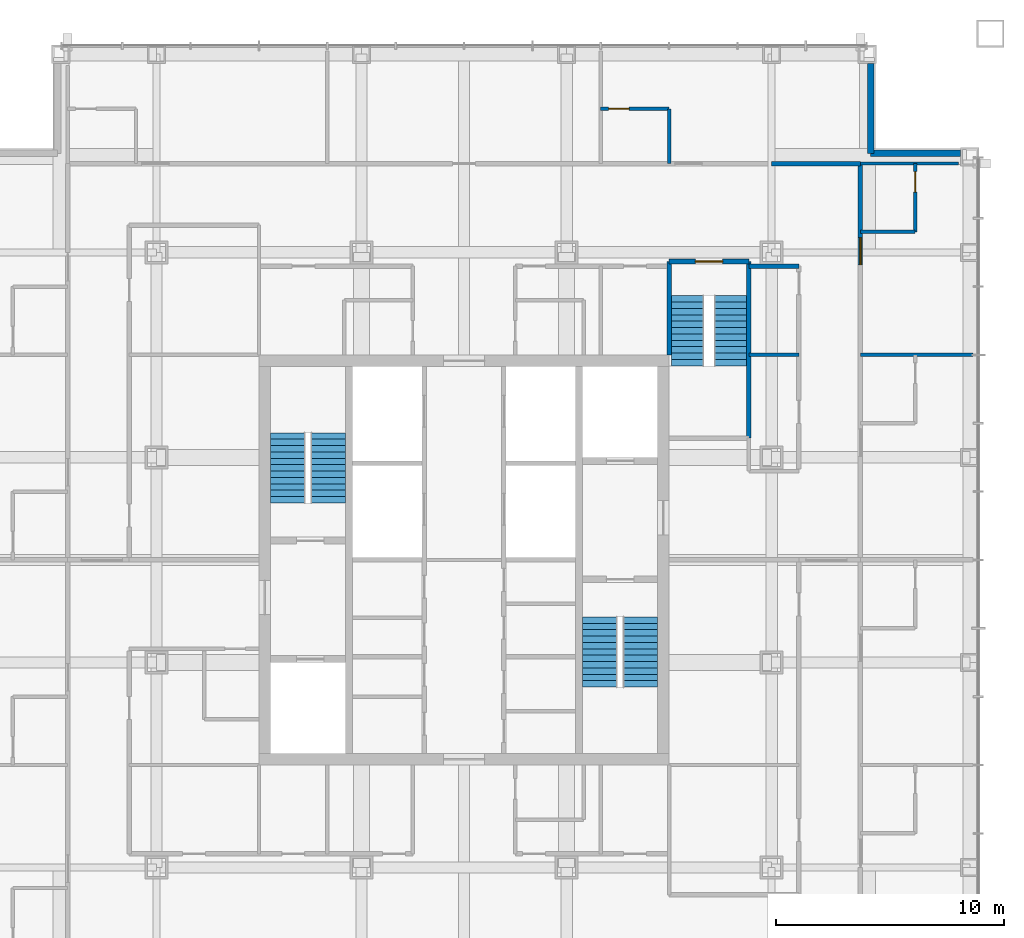
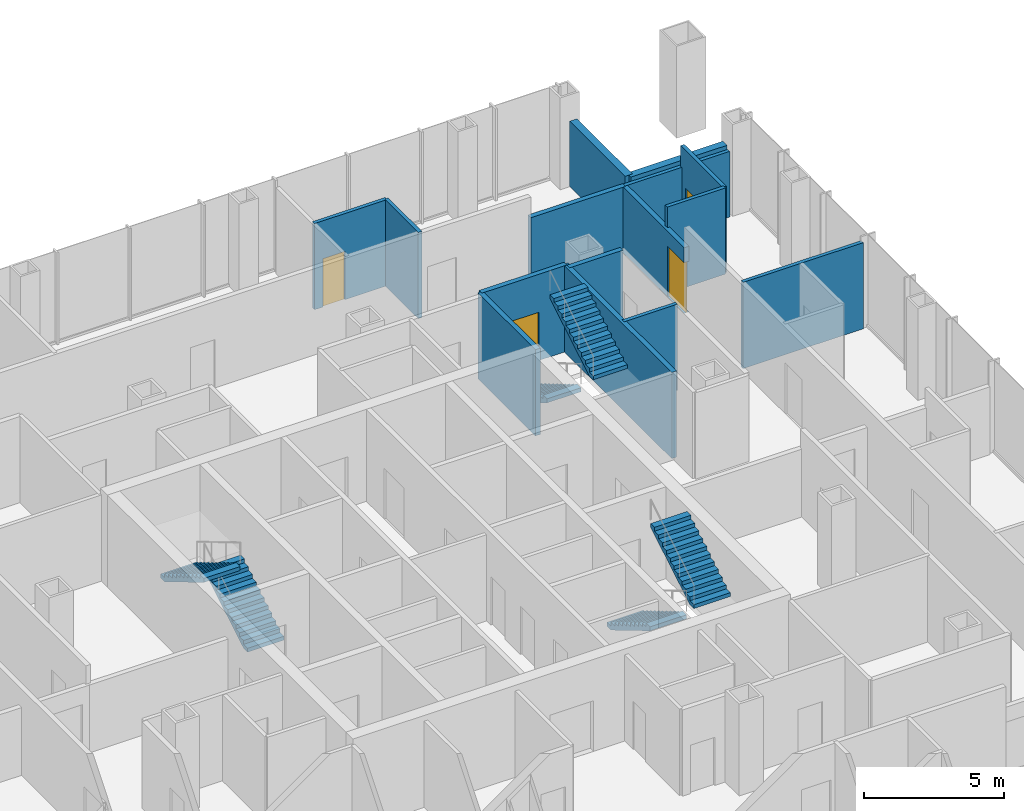
# One storey, part 10 of 11: 15 walls, 6 stair flights, 4 doors, 4 openings, 3 elements without a shape of their own.
"""IFC4 building model written with IfcOpenShell, lengths in metres."""

from ifc_helpers import new_model, si_unit, direction, frame, frame_2d, origin, place, context, subcontext, project, spatial, polyline, rectangle, outline, extrude, material, layer, layer_set, type_object, element, fill, aggregate, save


model = new_model("IFC4")

# Units and contexts
model_context = context("Model", 3, precision=1e-05, world=origin(), true_north=direction((0.0, 1.0)))
body_context = subcontext(model_context, "Body", "Model", "MODEL_VIEW")
ifc_project = project(units=[si_unit("LENGTHUNIT", "METRE"), si_unit("AREAUNIT", "SQUARE_METRE"), si_unit("VOLUMEUNIT", "CUBIC_METRE"), si_unit("PLANEANGLEUNIT", "RADIAN"), si_unit("MASSUNIT", "GRAM", prefix="KILO")], contexts=[model_context])

# Site, building, storey
site_placement = place(None, origin())
site = spatial("IfcSite", under=ifc_project, at=site_placement, CompositionType="ELEMENT")
building_placement = place(site_placement, origin())
building = spatial("IfcBuilding", under=site, at=building_placement, Name="Malebo Sky Hospital", CompositionType="ELEMENT")
storey_placement = place(building_placement, frame((0.0, 0.0, 205.0)))
storey = spatial("IfcBuildingStorey", under=building, at=storey_placement, Name="L49", CompositionType="ELEMENT", Elevation=205.0)

# Walls
ifc_material_1 = material(Name="Gypsum board on steel studs", Category="steel")
ifc_layer_1 = layer(ifc_material_1, 0.199951171875)
ifc_layer_set_1 = layer_set([ifc_layer_1], Name="CORRIDOR WALL 200")
wall_type_1 = type_object("IfcWallType", Name="CORRIDOR WALL 200", PredefinedType="PARTITIONING", material=ifc_layer_set_1)
wall_1_placement = place(storey_placement, frame((73.5, 79.39990234375, 0.0), z_axis=(0.0, 0.0, 1.0), x_axis=(1.0, 0.0, 0.0)))
element("IfcWall", 1, at=wall_1_placement, inside=storey, type_object=wall_type_1, Name="Corridor Wall 200 NCO", PredefinedType="PARTITIONING", context=body_context, shape_type="SweptSolid", body=[
    extrude(rectangle(XDim=3.89990234375, YDim=0.199951171875, at=frame_2d((1.949951171875, 0.0))), origin(), (0.0, 0.0, 1.0), 2.85009765625),
])
wall_2_placement = place(storey_placement, frame((72.5, 74.89990234375, 0.0), z_axis=(0.0, 0.0, 1.0), x_axis=(1.0, 0.0, 0.0)))
element("IfcWall", 2, at=wall_2_placement, inside=storey, type_object=wall_type_1, Name="Corridor Wall 200 NCI2/2", PredefinedType="PARTITIONING", context=body_context, shape_type="SweptSolid", body=[
    extrude(rectangle(XDim=2.199951171875, YDim=0.199951171875, at=frame_2d((1.10009765625, 0.0))), origin(), (0.0, 0.0, 1.0), 3.75),
])

# Wall, opening, door
wall_3_placement = place(storey_placement, frame((77.39990234375, 79.39990234375, 0.0), z_axis=(0.0, 0.0, 1.0), x_axis=(0.0, -1.0, 0.0)))
wall_3 = element("IfcWall", 3, at=wall_3_placement, inside=storey, type_object=wall_type_1, Name="Corridor Wall 200 ECO", PredefinedType="PARTITIONING", context=body_context, shape_type="SweptSolid", body=[
    extrude(rectangle(XDim=4.449951171875, YDim=0.199951171875, at=frame_2d((2.22509765625, 0.0))), origin(), (0.0, 0.0, 1.0), 2.85009765625),
])
opening_1_placement = place(wall_3_placement, frame((3.25, 0.0, 0.0)))
opening_1 = element("IfcOpeningElement", 4, at=opening_1_placement, cuts=wall_3, Name="Opening D01", PredefinedType="OPENING", context=body_context, shape_type="SweptSolid", body=[
    extrude(rectangle(XDim=1.199951171875, YDim=2.199951171875, at=frame_2d((0.60009765625, 1.10009765625))), frame((0.0, 0.10986328125, 0.0), z_axis=(0.0, -1.0, 0.0), x_axis=(1.0, 0.0, 0.0)), (0.0, 0.0, 1.0), 0.219970703125),
])
ifc_material_2 = material(Name="Hardwood-faced door leaf in steel frame", Category="steel")
door_type_1 = type_object("IfcDoorType", Name="BED DOOR 1200", OperationType="SINGLE_SWING_LEFT", PredefinedType="DOOR", material=ifc_material_2)
door_1_placement = place(opening_1_placement, origin())
door_1 = element("IfcDoor", 5, at=door_1_placement, inside=storey, type_object=door_type_1, Name="Birthing room door", OperationType="SINGLE_SWING_LEFT", OverallHeight=2.199951171875, OverallWidth=1.199951171875, PredefinedType="DOOR", context=body_context, shape_type="SweptSolid", body=[
    extrude(rectangle(XDim=1.199951171875, YDim=2.199951171875, at=frame_2d((0.60009765625, 1.10009765625))), frame((0.0, 0.02490234375, 0.0), z_axis=(0.0, -1.0, 0.0), x_axis=(1.0, 0.0, 0.0)), (0.0, 0.0, 1.0), 0.050048828125),
])
fill(opening_1, door_1)

# Walls
ifc_material_3 = material(Name="Anodised aluminium rainscreen on steel framing", Category="steel")
ifc_layer_2 = layer(ifc_material_3, 0.300048828125)
ifc_layer_set_2 = layer_set([ifc_layer_2], Name="NOTCH RAINSCREEN WALL 300")
wall_type_2 = type_object("IfcWallType", Name="NOTCH RAINSCREEN WALL 300", PredefinedType="ELEMENTEDWALL", material=ifc_layer_set_2)
for number, where, z_axis, x_axis, name in (
    (6, (77.85009765625, 83.800048828125, 0.0), (0.0, 0.0, 1.0), (0.0, -1.0, 0.0), "Notch rainscreen wall N1 L49"),
    (7, (77.85009765625, 79.85009765625, 0.0), (0.0, 0.0, 1.0), (1.0, 0.0, 0.0), "Notch rainscreen wall N2 L49"),
):
    element("IfcWall", number, at=place(storey_placement, frame(where, z_axis=z_axis, x_axis=x_axis)), inside=storey, type_object=wall_type_2, Name=name, PredefinedType="ELEMENTEDWALL", context=body_context, shape_type="SweptSolid", body=[
        extrude(rectangle(XDim=3.949951171875, YDim=0.300048828125, at=frame_2d((1.97509765625, 0.0))), origin(), (0.0, 0.0, 1.0), 2.85009765625),
    ])

# Wall, opening, door
ifc_layer_3 = layer(ifc_material_1, 0.14990234375)
ifc_layer_set_3 = layer_set([ifc_layer_3], Name="PARTITION 150")
wall_type_3 = type_object("IfcWallType", Name="PARTITION 150", PredefinedType="PARTITIONING", material=ifc_layer_set_3)
wall_4_placement = place(storey_placement, frame((66.0, 81.800048828125, 0.0), z_axis=(0.0, 0.0, 1.0), x_axis=(1.0, 0.0, 0.0)))
wall_4 = element("IfcWall", 8, at=wall_4_placement, inside=storey, type_object=wall_type_3, Name="Partition 150 NE2F", PredefinedType="PARTITIONING", context=body_context, shape_type="SweptSolid", body=[
    extrude(rectangle(XDim=3.0, YDim=0.14990234375, at=frame_2d((1.5, 0.0))), origin(), (0.0, 0.0, 1.0), 3.75),
])
opening_2_placement = place(wall_4_placement, frame((0.35009765625, 0.0, 0.0)))
opening_2 = element("IfcOpeningElement", 9, at=opening_2_placement, cuts=wall_4, Name="Opening D02", PredefinedType="OPENING", context=body_context, shape_type="SweptSolid", body=[
    extrude(rectangle(XDim=0.89990234375, YDim=2.10009765625, at=frame_2d((0.449951171875, 1.050048828125))), frame((0.0, 0.0849609375, 0.0), z_axis=(0.0, -1.0, 0.0), x_axis=(1.0, 0.0, 0.0)), (0.0, 0.0, 1.0), 0.169921875),
])
door_type_2 = type_object("IfcDoorType", Name="EN-SUITE DOOR 900", OperationType="SINGLE_SWING_LEFT", PredefinedType="DOOR", material=ifc_material_2)
door_2_placement = place(opening_2_placement, origin())
door_2 = element("IfcDoor", 10, at=door_2_placement, inside=storey, type_object=door_type_2, Name="En-suite door", OperationType="SINGLE_SWING_LEFT", OverallHeight=2.10009765625, OverallWidth=0.89990234375, PredefinedType="DOOR", context=body_context, shape_type="SweptSolid", body=[
    extrude(rectangle(XDim=0.89990234375, YDim=2.10009765625, at=frame_2d((0.449951171875, 1.050048828125))), frame((0.0, 0.02490234375, 0.0), z_axis=(0.0, -1.0, 0.0), x_axis=(1.0, 0.0, 0.0)), (0.0, 0.0, 1.0), 0.050048828125),
])
fill(opening_2, door_2)

# Walls
wall_5_placement = place(storey_placement, frame((69.0, 79.39990234375, 0.0), z_axis=(0.0, 0.0, 1.0), x_axis=(0.0, 1.0, 0.0)))
element("IfcWall", 11, at=wall_5_placement, inside=storey, type_object=wall_type_3, Name="Partition 150 NE2S", PredefinedType="PARTITIONING", context=body_context, shape_type="SweptSolid", body=[
    extrude(rectangle(XDim=2.400146484375, YDim=0.14990234375, at=frame_2d((1.2001953125, 0.0))), origin(), (0.0, 0.0, 1.0), 3.75),
])
wall_6_placement = place(storey_placement, frame((77.39990234375, 71.0, 0.0), z_axis=(0.0, 0.0, 1.0), x_axis=(1.0, 0.0, 0.0)))
element("IfcWall", 12, at=wall_6_placement, inside=storey, type_object=wall_type_3, Name="Partition 150 EP-9.0", PredefinedType="PARTITIONING", context=body_context, shape_type="SweptSolid", body=[
    extrude(rectangle(XDim=4.9501953125, YDim=0.14990234375, at=frame_2d((2.47509765625, 0.0))), origin(), (0.0, 0.0, 1.0), 3.75),
])
wall_7_placement = place(storey_placement, frame((77.39990234375, 79.39990234375, 0.0), z_axis=(0.0, 0.0, 1.0), x_axis=(1.0, 0.0, 0.0)))
element("IfcWall", 13, at=wall_7_placement, inside=storey, type_object=wall_type_3, Name="Partition 150 EP0", PredefinedType="PARTITIONING", context=body_context, shape_type="SweptSolid", body=[
    extrude(rectangle(XDim=4.300048828125, YDim=0.14990234375, at=frame_2d((2.14990234375, 0.0))), origin(), (0.0, 0.0, 1.0), 2.85009765625),
])

# Wall, opening, door
wall_8_placement = place(storey_placement, frame((79.800048828125, 79.39990234375, 0.0), z_axis=(0.0, 0.0, 1.0), x_axis=(0.0, -1.0, 0.0)))
wall_8 = element("IfcWall", 14, at=wall_8_placement, inside=storey, type_object=wall_type_3, Name="Partition 150 EE0F", PredefinedType="PARTITIONING", context=body_context, shape_type="SweptSolid", body=[
    extrude(rectangle(XDim=3.0, YDim=0.14990234375, at=frame_2d((1.5, 0.0))), origin(), (0.0, 0.0, 1.0), 3.75),
])
opening_3_placement = place(wall_8_placement, frame((0.35009765625, 0.0, 0.0)))
opening_3 = element("IfcOpeningElement", 15, at=opening_3_placement, cuts=wall_8, Name="Opening D02", PredefinedType="OPENING", context=body_context, shape_type="SweptSolid", body=[
    extrude(rectangle(XDim=0.89990234375, YDim=2.10009765625, at=frame_2d((0.449951171875, 1.050048828125))), frame((0.0, 0.0849609375, 0.0), z_axis=(0.0, -1.0, 0.0), x_axis=(1.0, 0.0, 0.0)), (0.0, 0.0, 1.0), 0.169921875),
])
door_3_placement = place(opening_3_placement, origin())
door_3 = element("IfcDoor", 16, at=door_3_placement, inside=storey, type_object=door_type_2, Name="En-suite door", OperationType="SINGLE_SWING_LEFT", OverallHeight=2.10009765625, OverallWidth=0.89990234375, PredefinedType="DOOR", context=body_context, shape_type="SweptSolid", body=[
    extrude(rectangle(XDim=0.89990234375, YDim=2.10009765625, at=frame_2d((0.449951171875, 1.050048828125))), frame((0.0, 0.02490234375, 0.0), z_axis=(0.0, -1.0, 0.0), x_axis=(1.0, 0.0, 0.0)), (0.0, 0.0, 1.0), 0.050048828125),
])
fill(opening_3, door_3)

# Walls
wall_9_placement = place(storey_placement, frame((77.39990234375, 76.39990234375, 0.0), z_axis=(0.0, 0.0, 1.0), x_axis=(1.0, 0.0, 0.0)))
element("IfcWall", 17, at=wall_9_placement, inside=storey, type_object=wall_type_3, Name="Partition 150 EE0S", PredefinedType="PARTITIONING", context=body_context, shape_type="SweptSolid", body=[
    extrude(rectangle(XDim=2.400146484375, YDim=0.14990234375, at=frame_2d((1.2001953125, 0.0))), origin(), (0.0, 0.0, 1.0), 3.75),
])
wall_10_placement = place(storey_placement, frame((72.5, 71.0, 0.0), z_axis=(0.0, 0.0, 1.0), x_axis=(1.0, 0.0, 0.0)))
element("IfcWall", 18, at=wall_10_placement, inside=storey, type_object=wall_type_3, Name="Partition 150 ESP0", PredefinedType="PARTITIONING", context=body_context, shape_type="SweptSolid", body=[
    extrude(rectangle(XDim=2.199951171875, YDim=0.14990234375, at=frame_2d((1.10009765625, 0.0))), origin(), (0.0, 0.0, 1.0), 3.75),
])
ifc_material_4 = material(Name="Concrete C40/50", Category="concrete")
ifc_layer_4 = layer(ifc_material_4, 0.199951171875)
ifc_layer_set_4 = layer_set([ifc_layer_4], Name="STAIR ENCLOSURE WALL 200")
wall_type_4 = type_object("IfcWallType", Name="STAIR ENCLOSURE WALL 200", PredefinedType="SOLIDWALL", material=ifc_layer_set_4)
wall_11_placement = place(storey_placement, frame((69.0, 71.0, 0.0), z_axis=(0.0, 0.0, 1.0), x_axis=(0.0, 1.0, 0.0)))
element("IfcWall", 19, at=wall_11_placement, inside=storey, type_object=wall_type_4, Name="Stair Enclosure Wall 200 ST3W", PredefinedType="SOLIDWALL", context=body_context, shape_type="SweptSolid", body=[
    extrude(rectangle(XDim=4.10009765625, YDim=0.199951171875, at=frame_2d((2.050048828125, 0.0))), origin(), (0.0, 0.0, 1.0), 3.75),
])
wall_12_placement = place(storey_placement, frame((72.5, 67.35009765625, 0.0), z_axis=(0.0, 0.0, 1.0), x_axis=(0.0, 1.0, 0.0)))
element("IfcWall", 20, at=wall_12_placement, inside=storey, type_object=wall_type_4, Name="Stair Enclosure Wall 200 ST3E", PredefinedType="SOLIDWALL", context=body_context, shape_type="SweptSolid", body=[
    extrude(rectangle(XDim=7.75, YDim=0.199951171875, at=frame_2d((3.875, 0.0))), origin(), (0.0, 0.0, 1.0), 3.75),
])

# Wall, opening, door
wall_13_placement = place(storey_placement, frame((69.0, 75.10009765625, 0.0), z_axis=(0.0, 0.0, 1.0), x_axis=(1.0, 0.0, 0.0)))
wall_13 = element("IfcWall", 21, at=wall_13_placement, inside=storey, type_object=wall_type_4, Name="Stair Enclosure Wall 200 ST3N", PredefinedType="SOLIDWALL", context=body_context, shape_type="SweptSolid", body=[
    extrude(rectangle(XDim=3.5, YDim=0.199951171875, at=frame_2d((1.75, 0.0))), origin(), (0.0, 0.0, 1.0), 3.75),
])
opening_4_placement = place(wall_13_placement, frame((1.14990234375, 0.0, 0.0)))
opening_4 = element("IfcOpeningElement", 22, at=opening_4_placement, cuts=wall_13, Name="Opening D08", PredefinedType="OPENING", context=body_context, shape_type="SweptSolid", body=[
    extrude(rectangle(XDim=1.199951171875, YDim=2.10009765625, at=frame_2d((0.60009765625, 1.050048828125))), frame((0.0, 0.10986328125, 0.0), z_axis=(0.0, -1.0, 0.0), x_axis=(1.0, 0.0, 0.0)), (0.0, 0.0, 1.0), 0.219970703125),
])
door_type_3 = type_object("IfcDoorType", Name="STAIR DOOR 1200", OperationType="SINGLE_SWING_LEFT", PredefinedType="DOOR", material=ifc_material_2)
door_4_placement = place(opening_4_placement, origin())
door_4 = element("IfcDoor", 23, at=door_4_placement, inside=storey, type_object=door_type_3, Name="Stair S3 door", OperationType="SINGLE_SWING_LEFT", OverallHeight=2.10009765625, OverallWidth=1.199951171875, PredefinedType="DOOR", context=body_context, shape_type="SweptSolid", body=[
    extrude(rectangle(XDim=1.199951171875, YDim=2.10009765625, at=frame_2d((0.60009765625, 1.050048828125))), frame((0.0, 0.02490234375, 0.0), z_axis=(0.0, -1.0, 0.0), x_axis=(1.0, 0.0, 0.0)), (0.0, 0.0, 1.0), 0.050048828125),
])
fill(opening_4, door_4)

# Stair, stair flights
stair_type_1 = type_object("IfcStairType", Name="HALF-TURN STAIR 1400 R167", PredefinedType="HALF_TURN_STAIR", material=ifc_material_4)
stair_1_placement = place(storey_placement, origin())
stair_1 = element("IfcStair", 24, at=stair_1_placement, inside=storey, type_object=stair_type_1, Name="Stair S3 L49 type ST1B", PredefinedType="HALF_TURN_STAIR")
stair_flight_type_1 = type_object("IfcStairFlightType", Name="STAIR FLIGHT 1400 R167", PredefinedType="STRAIGHT", material=ifc_material_4)
stair_flight_1_placement = place(storey_placement, frame((69.800048828125, 73.60009765625, 0.0), z_axis=(0.0, 0.0, 1.0), x_axis=(0.0, -1.0, 0.0)))
stair_flight_1 = element("IfcStairFlight", 25, at=stair_flight_1_placement, type_object=stair_flight_type_1, Name="S3 flight 1 type SF1B", NumberOfRisers=12, NumberOfTreads=11, PredefinedType="STRAIGHT", RiserHeight=0.166666667, TreadLength=0.28, context=body_context, shape_type="SweptSolid", body=[
    extrude(outline(polyline([(0.0, 0.0), (0.0, 0.166748046875), (0.280029296875, 0.166748046875), (0.280029296875, 0.333251953125), (0.56005859375, 0.333251953125), (0.56005859375, 0.5), (0.840087890625, 0.5), (0.840087890625, 0.666748046875), (1.1201171875, 0.666748046875), (1.1201171875, 0.833251953125), (1.39990234375, 0.833251953125), (1.39990234375, 1.0), (1.679931640625, 1.0), (1.679931640625, 1.166748046875), (1.9599609375, 1.166748046875), (1.9599609375, 1.333251953125), (2.239990234375, 1.333251953125), (2.239990234375, 1.5), (2.52001953125, 1.5), (2.52001953125, 1.666748046875), (2.800048828125, 1.666748046875), (2.800048828125, 1.833251953125), (3.080078125, 1.833251953125), (3.080078125, 2.0), (3.080078125, 1.658935546875), (0.29296875, 0.0), (0.0, 0.0)])), frame((0.0, 0.699951171875, 0.0), z_axis=(0.0, -1.0, 0.0), x_axis=(1.0, 0.0, 0.0)), (0.0, 0.0, 1.0), 1.39990234375),
])
stair_flight_2_placement = place(storey_placement, frame((71.699951171875, 70.52001953125, 2.0), z_axis=(0.0, 0.0, 1.0), x_axis=(0.0, 1.0, 0.0)))
stair_flight_2 = element("IfcStairFlight", 26, at=stair_flight_2_placement, type_object=stair_flight_type_1, Name="S3 flight 2 type SF1B", NumberOfRisers=12, NumberOfTreads=11, PredefinedType="STRAIGHT", RiserHeight=0.166666667, TreadLength=0.28, context=body_context, shape_type="SweptSolid", body=[
    extrude(outline(polyline([(0.0, 0.0), (0.0, 0.166748046875), (0.280029296875, 0.166748046875), (0.280029296875, 0.333251953125), (0.56005859375, 0.333251953125), (0.56005859375, 0.5), (0.840087890625, 0.5), (0.840087890625, 0.666748046875), (1.1201171875, 0.666748046875), (1.1201171875, 0.833251953125), (1.39990234375, 0.833251953125), (1.39990234375, 1.0), (1.679931640625, 1.0), (1.679931640625, 1.166748046875), (1.9599609375, 1.166748046875), (1.9599609375, 1.333251953125), (2.239990234375, 1.333251953125), (2.239990234375, 1.5), (2.52001953125, 1.5), (2.52001953125, 1.666748046875), (2.800048828125, 1.666748046875), (2.800048828125, 1.833251953125), (3.080078125, 1.833251953125), (3.080078125, 2.0), (3.080078125, 1.658935546875), (0.29296875, 0.0), (0.0, 0.0)])), frame((0.0, 0.699951171875, 0.0), z_axis=(0.0, -1.0, 0.0), x_axis=(1.0, 0.0, 0.0)), (0.0, 0.0, 1.0), 1.39990234375),
])
aggregate(stair_1, [stair_flight_1, stair_flight_2])

stair_type_2 = type_object("IfcStairType", Name="HALF-TURN STAIR 1500 R167", PredefinedType="HALF_TURN_STAIR", material=ifc_material_4)
stair_2_placement = place(storey_placement, origin())
stair_2 = element("IfcStair", 27, at=stair_2_placement, inside=storey, type_object=stair_type_2, Name="Stair S1 L49 type ST1", PredefinedType="HALF_TURN_STAIR")
stair_flight_type_2 = type_object("IfcStairFlightType", Name="STAIR FLIGHT 1500 R167", PredefinedType="STRAIGHT", material=ifc_material_4)
stair_flight_3_placement = place(storey_placement, frame((54.050048828125, 64.5, 0.0), z_axis=(0.0, 0.0, 1.0), x_axis=(0.0, 1.0, 0.0)))
stair_flight_3 = element("IfcStairFlight", 28, at=stair_flight_3_placement, type_object=stair_flight_type_2, Name="S1 flight 1 type SF1", NumberOfRisers=12, NumberOfTreads=11, PredefinedType="STRAIGHT", RiserHeight=0.166666667, TreadLength=0.28, context=body_context, shape_type="SweptSolid", body=[
    extrude(outline(polyline([(0.0, 0.0), (0.0, 0.166748046875), (0.280029296875, 0.166748046875), (0.280029296875, 0.333251953125), (0.56005859375, 0.333251953125), (0.56005859375, 0.5), (0.840087890625, 0.5), (0.840087890625, 0.666748046875), (1.1201171875, 0.666748046875), (1.1201171875, 0.833251953125), (1.39990234375, 0.833251953125), (1.39990234375, 1.0), (1.679931640625, 1.0), (1.679931640625, 1.166748046875), (1.9599609375, 1.166748046875), (1.9599609375, 1.333251953125), (2.239990234375, 1.333251953125), (2.239990234375, 1.5), (2.52001953125, 1.5), (2.52001953125, 1.666748046875), (2.800048828125, 1.666748046875), (2.800048828125, 1.833251953125), (3.080078125, 1.833251953125), (3.080078125, 2.0), (3.080078125, 1.658935546875), (0.29296875, 0.0), (0.0, 0.0)])), frame((0.0, 0.75, 0.0), z_axis=(0.0, -1.0, 0.0), x_axis=(1.0, 0.0, 0.0)), (0.0, 0.0, 1.0), 1.5),
])
stair_flight_4_placement = place(storey_placement, frame((52.25, 67.580078125, 2.0), z_axis=(0.0, 0.0, 1.0), x_axis=(0.0, -1.0, 0.0)))
stair_flight_4 = element("IfcStairFlight", 29, at=stair_flight_4_placement, type_object=stair_flight_type_2, Name="S1 flight 2 type SF1", NumberOfRisers=12, NumberOfTreads=11, PredefinedType="STRAIGHT", RiserHeight=0.166666667, TreadLength=0.28, context=body_context, shape_type="SweptSolid", body=[
    extrude(outline(polyline([(0.0, 0.0), (0.0, 0.166748046875), (0.280029296875, 0.166748046875), (0.280029296875, 0.333251953125), (0.56005859375, 0.333251953125), (0.56005859375, 0.5), (0.840087890625, 0.5), (0.840087890625, 0.666748046875), (1.1201171875, 0.666748046875), (1.1201171875, 0.833251953125), (1.39990234375, 0.833251953125), (1.39990234375, 1.0), (1.679931640625, 1.0), (1.679931640625, 1.166748046875), (1.9599609375, 1.166748046875), (1.9599609375, 1.333251953125), (2.239990234375, 1.333251953125), (2.239990234375, 1.5), (2.52001953125, 1.5), (2.52001953125, 1.666748046875), (2.800048828125, 1.666748046875), (2.800048828125, 1.833251953125), (3.080078125, 1.833251953125), (3.080078125, 2.0), (3.080078125, 1.658935546875), (0.29296875, 0.0), (0.0, 0.0)])), frame((0.0, 0.75, 0.0), z_axis=(0.0, -1.0, 0.0), x_axis=(1.0, 0.0, 0.0)), (0.0, 0.0, 1.0), 1.5),
])
aggregate(stair_2, [stair_flight_3, stair_flight_4])

stair_3_placement = place(storey_placement, origin())
stair_3 = element("IfcStair", 30, at=stair_3_placement, inside=storey, type_object=stair_type_2, Name="Stair S2 L49 type ST1", PredefinedType="HALF_TURN_STAIR")
stair_flight_5_placement = place(storey_placement, frame((65.949951171875, 59.5, 0.0), z_axis=(0.0, 0.0, 1.0), x_axis=(0.0, -1.0, 0.0)))
stair_flight_5 = element("IfcStairFlight", 31, at=stair_flight_5_placement, type_object=stair_flight_type_2, Name="S2 flight 1 type SF1", NumberOfRisers=12, NumberOfTreads=11, PredefinedType="STRAIGHT", RiserHeight=0.166666667, TreadLength=0.28, context=body_context, shape_type="SweptSolid", body=[
    extrude(outline(polyline([(0.0, 0.0), (0.0, 0.166748046875), (0.280029296875, 0.166748046875), (0.280029296875, 0.333251953125), (0.56005859375, 0.333251953125), (0.56005859375, 0.5), (0.840087890625, 0.5), (0.840087890625, 0.666748046875), (1.1201171875, 0.666748046875), (1.1201171875, 0.833251953125), (1.39990234375, 0.833251953125), (1.39990234375, 1.0), (1.679931640625, 1.0), (1.679931640625, 1.166748046875), (1.9599609375, 1.166748046875), (1.9599609375, 1.333251953125), (2.239990234375, 1.333251953125), (2.239990234375, 1.5), (2.52001953125, 1.5), (2.52001953125, 1.666748046875), (2.800048828125, 1.666748046875), (2.800048828125, 1.833251953125), (3.080078125, 1.833251953125), (3.080078125, 2.0), (3.080078125, 1.658935546875), (0.29296875, 0.0), (0.0, 0.0)])), frame((0.0, 0.75, 0.0), z_axis=(0.0, -1.0, 0.0), x_axis=(1.0, 0.0, 0.0)), (0.0, 0.0, 1.0), 1.5),
])
stair_flight_6_placement = place(storey_placement, frame((67.75, 56.419921875, 2.0), z_axis=(0.0, 0.0, 1.0), x_axis=(0.0, 1.0, 0.0)))
stair_flight_6 = element("IfcStairFlight", 32, at=stair_flight_6_placement, type_object=stair_flight_type_2, Name="S2 flight 2 type SF1", NumberOfRisers=12, NumberOfTreads=11, PredefinedType="STRAIGHT", RiserHeight=0.166666667, TreadLength=0.28, context=body_context, shape_type="SweptSolid", body=[
    extrude(outline(polyline([(0.0, 0.0), (0.0, 0.166748046875), (0.280029296875, 0.166748046875), (0.280029296875, 0.333251953125), (0.56005859375, 0.333251953125), (0.56005859375, 0.5), (0.840087890625, 0.5), (0.840087890625, 0.666748046875), (1.1201171875, 0.666748046875), (1.1201171875, 0.833251953125), (1.39990234375, 0.833251953125), (1.39990234375, 1.0), (1.679931640625, 1.0), (1.679931640625, 1.166748046875), (1.9599609375, 1.166748046875), (1.9599609375, 1.333251953125), (2.239990234375, 1.333251953125), (2.239990234375, 1.5), (2.52001953125, 1.5), (2.52001953125, 1.666748046875), (2.800048828125, 1.666748046875), (2.800048828125, 1.833251953125), (3.080078125, 1.833251953125), (3.080078125, 2.0), (3.080078125, 1.658935546875), (0.29296875, 0.0), (0.0, 0.0)])), frame((0.0, 0.75, 0.0), z_axis=(0.0, -1.0, 0.0), x_axis=(1.0, 0.0, 0.0)), (0.0, 0.0, 1.0), 1.5),
])
aggregate(stair_3, [stair_flight_5, stair_flight_6])

save(model, "model.ifc")
